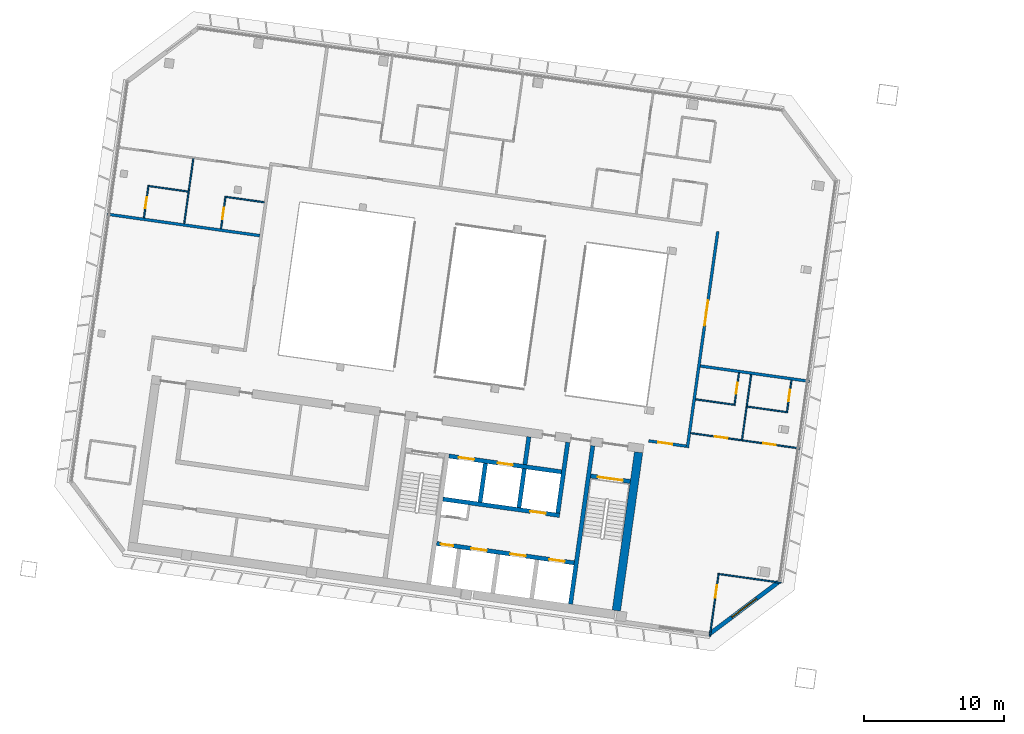
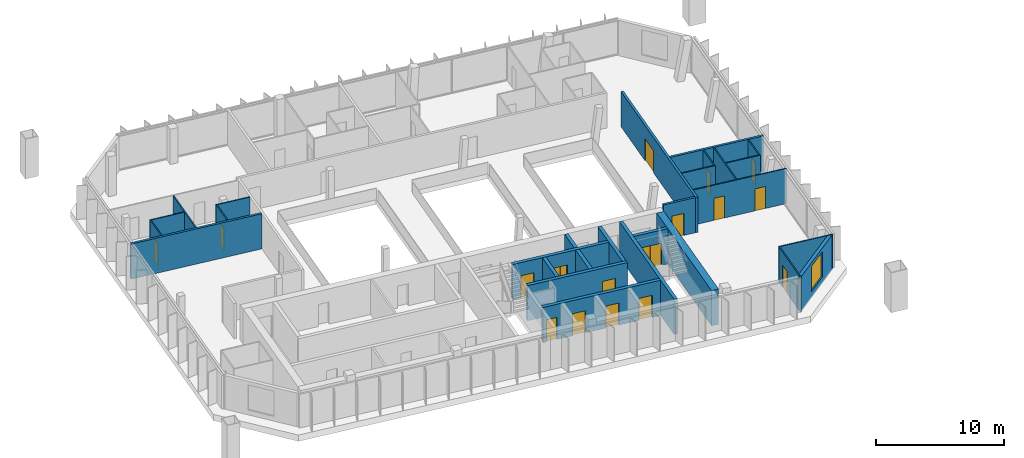
# One storey, part 13 of 20: 28 walls, 17 doors, 1 window, 18 openings.
"""IFC4 building model written with IfcOpenShell, lengths in metres."""

from ifc_helpers import new_model, si_unit, direction, frame, frame_2d, origin, place, context, subcontext, project, spatial, rectangle, extrude, material, layer, layer_set, type_object, element, fill, save


model = new_model("IFC4")

# Units and contexts
model_context = context("Model", 3, precision=1e-05, world=origin(), true_north=direction((0.0, 1.0)))
body_context = subcontext(model_context, "Body", "Model", "MODEL_VIEW")
ifc_project = project(units=[si_unit("LENGTHUNIT", "METRE"), si_unit("AREAUNIT", "SQUARE_METRE"), si_unit("VOLUMEUNIT", "CUBIC_METRE"), si_unit("PLANEANGLEUNIT", "RADIAN"), si_unit("MASSUNIT", "GRAM", prefix="KILO")], contexts=[model_context])

# Site, building, storey
site_placement = place(None, origin())
site = spatial("IfcSite", under=ifc_project, at=site_placement, CompositionType="ELEMENT")
building_placement = place(site_placement, origin())
building = spatial("IfcBuilding", under=site, at=building_placement, Name="Mirante Cascada Hotel Towers", CompositionType="ELEMENT")
storey_placement = place(building_placement, frame((0.0, 0.0, 224.2)))
storey = spatial("IfcBuildingStorey", under=building, at=storey_placement, Name="L53", CompositionType="ELEMENT", Elevation=224.2)

# Wall, opening, door
ifc_material_1 = material(Name="Fire-rated plasterboard on metal studs")
ifc_layer_1 = layer(ifc_material_1, 0.2)
ifc_layer_set_1 = layer_set([ifc_layer_1], Name="Compartment wall 200 EI 120")
wall_type_1 = type_object("IfcWallType", Name="Compartment wall 200 EI 120", PredefinedType="PARTITIONING", material=ifc_layer_set_1)
wall_1_placement = place(storey_placement, frame((-32.5897, -7.493, 0.0), z_axis=(0.0, 0.0, 1.0), x_axis=(-0.9902713, 0.1391498, 0.0)))
wall_1 = element("IfcWall", 1, at=wall_1_placement, inside=storey, type_object=wall_type_1, Name="Wall 1-L53-04", PredefinedType="PARTITIONING", context=body_context, shape_type="SweptSolid", body=[
    extrude(rectangle(XDim=2.7, YDim=0.2, at=frame_2d((1.35, 0.0))), origin(), (0.0, 0.0, 1.0), 3.35),
])
opening_1_placement = place(wall_1_placement, frame((1.0, 0.0, 0.0)))
opening_1 = element("IfcOpeningElement", 2, at=opening_1_placement, cuts=wall_1, Name="Opening D1-L53-01", PredefinedType="OPENING", context=body_context, shape_type="SweptSolid", body=[
    extrude(rectangle(XDim=1.0, YDim=2.1, at=frame_2d((0.5, 1.05))), frame((0.0, 0.1, 0.0), z_axis=(0.0, -1.0, 0.0), x_axis=(1.0, 0.0, 0.0)), (0.0, 0.0, 1.0), 0.2),
])
ifc_material_2 = material(Name="Fire-rated timber door leaf", Category="wood")
door_type_1 = type_object("IfcDoorType", Name="Entrance door DG1 1000x2100 EI 60", OperationType="SINGLE_SWING_LEFT", PredefinedType="DOOR", material=ifc_material_2)
door_1_placement = place(opening_1_placement, origin())
door_1 = element("IfcDoor", 3, at=door_1_placement, inside=storey, type_object=door_type_1, Name="Door D1-L53-01", OperationType="SINGLE_SWING_LEFT", OverallHeight=2.1, OverallWidth=1.0, PredefinedType="DOOR", context=body_context, shape_type="SweptSolid", body=[
    extrude(rectangle(XDim=1.0, YDim=2.1, at=frame_2d((0.5, 1.05))), frame((0.0, 0.025, 0.0), z_axis=(0.0, -1.0, 0.0), x_axis=(1.0, 0.0, 0.0)), (0.0, 0.0, 1.0), 0.05),
])
fill(opening_1, door_1)

# Walls
wall_2_placement = place(storey_placement, frame((-31.5844, -1.7773, 0.0), z_axis=(0.0, 0.0, 1.0), x_axis=(0.9902673, -0.1391786, 0.0)))
element("IfcWall", 4, at=wall_2_placement, inside=storey, type_object=wall_type_1, Name="Wall 1-L53-09", PredefinedType="PARTITIONING", context=body_context, shape_type="SweptSolid", body=[
    extrude(rectangle(XDim=7.8539, YDim=0.2, at=frame_2d((3.927, 0.0))), origin(), (0.0, 0.0, 1.0), 3.35),
])
wall_3_placement = place(storey_placement, frame((-62.9964, 7.5181, 0.0), z_axis=(0.0, 0.0, 1.0), x_axis=(-0.990267, 0.139181, 0.0)))
element("IfcWall", 5, at=wall_3_placement, inside=storey, type_object=wall_type_1, Name="Wall 1-L53-10", PredefinedType="PARTITIONING", context=body_context, shape_type="SweptSolid", body=[
    extrude(rectangle(XDim=11.0001, YDim=0.2, at=frame_2d((5.5, 0.0))), origin(), (0.0, 0.0, 1.0), 3.35),
])

# Wall, opening, door
wall_4_placement = place(storey_placement, frame((-30.3381, 7.8092, 0.0), z_axis=(0.0, 0.0, 1.0), x_axis=(-0.1391753, -0.9902678, 0.0)))
wall_4 = element("IfcWall", 6, at=wall_4_placement, inside=storey, type_object=wall_type_1, Name="Wall 1-L53-27", PredefinedType="PARTITIONING", context=body_context, shape_type="SweptSolid", body=[
    extrude(rectangle(XDim=15.5667, YDim=0.2, at=frame_2d((7.7834, 0.0))), origin(), (0.0, 0.0, 1.0), 3.35),
])
opening_2_placement = place(wall_4_placement, frame((4.9667, 0.0, 0.0)))
opening_2 = element("IfcOpeningElement", 7, at=opening_2_placement, cuts=wall_4, Name="Opening D1-L53-17", PredefinedType="OPENING", context=body_context, shape_type="SweptSolid", body=[
    extrude(rectangle(XDim=1.8, YDim=2.1, at=frame_2d((0.9, 1.05))), frame((0.0, 0.1, 0.0), z_axis=(0.0, -1.0, 0.0), x_axis=(1.0, 0.0, 0.0)), (0.0, 0.0, 1.0), 0.2),
])
ifc_material_3 = material(Name="Fire-rated timber door leaf", Category="wood")
door_type_2 = type_object("IfcDoorType", Name="Suite double door DG2 1800x2100 EI 60", OperationType="DOUBLE_DOOR_SINGLE_SWING", PredefinedType="DOOR", material=ifc_material_3)
door_2_placement = place(opening_2_placement, origin())
door_2 = element("IfcDoor", 8, at=door_2_placement, inside=storey, type_object=door_type_2, Name="Door D1-L53-17", OperationType="DOUBLE_DOOR_SINGLE_SWING", OverallHeight=2.1, OverallWidth=1.8, PredefinedType="DOOR", context=body_context, shape_type="SweptSolid", body=[
    extrude(rectangle(XDim=0.895, YDim=2.1, at=frame_2d((0.4475, 1.05))), frame((0.0, 0.025, 0.0), z_axis=(0.0, -1.0, 0.0), x_axis=(1.0, 0.0, 0.0)), (0.0, 0.0, 1.0), 0.05),
    extrude(rectangle(XDim=0.895, YDim=2.1, at=frame_2d((1.3525, 1.05))), frame((0.0, 0.025, 0.0), z_axis=(0.0, -1.0, 0.0), x_axis=(1.0, 0.0, 0.0)), (0.0, 0.0, 1.0), 0.05),
])
fill(opening_2, door_2)

# Walls
ifc_material_4 = material(Name="Masonry block", Category="masonry")
ifc_layer_2 = layer(ifc_material_4, 0.3)
ifc_layer_set_2 = layer_set([ifc_layer_2], Name="Core wall 300 block EI 120")
wall_type_2 = type_object("IfcWallType", Name="Core wall 300 block EI 120", PredefinedType="PARTITIONING", material=ifc_layer_set_2)
wall_5_placement = place(storey_placement, frame((-44.0843, -8.8061, 0.0), z_axis=(0.0, 0.0, 1.0), x_axis=(0.1391951, 0.990265, 0.0)))
element("IfcWall", 9, at=wall_5_placement, inside=storey, type_object=wall_type_2, Name="Core wall partition T1 L53 1", PredefinedType="PARTITIONING", context=body_context, shape_type="SweptSolid", body=[
    extrude(rectangle(XDim=2.0001, YDim=0.3, at=frame_2d((1.0001, 0.0))), origin(), (0.0, 0.0, 1.0), 3.35),
])
ifc_material_5 = material(Name="Plasterboard on metal studs")
ifc_layer_3 = layer(ifc_material_5, 0.1)
ifc_layer_set_3 = layer_set([ifc_layer_3], Name="Partition 100")
wall_type_3 = type_object("IfcWallType", Name="Partition 100", PredefinedType="PARTITIONING", material=ifc_layer_set_3)
wall_6_placement = place(storey_placement, frame((-30.3306, -16.596, 0.0), z_axis=(0.0, 0.0, 1.0), x_axis=(0.9902661, -0.1391871, 0.0)))
element("IfcWall", 10, at=wall_6_placement, inside=storey, type_object=wall_type_3, Name="Wall 1-L53-01", PredefinedType="PARTITIONING", context=body_context, shape_type="SweptSolid", body=[
    extrude(rectangle(XDim=4.55, YDim=0.1, at=frame_2d((2.275, 0.0))), origin(), (0.0, 0.0, 1.0), 3.35),
])

# Wall, openings, doors
wall_7_placement = place(storey_placement, frame((-32.2571, -6.5636, 0.0), z_axis=(0.0, 0.0, 1.0), x_axis=(0.9902675, -0.1391768, 0.0)))
wall_7 = element("IfcWall", 11, at=wall_7_placement, inside=storey, type_object=wall_type_3, Name="Wall 1-L53-05", PredefinedType="PARTITIONING", context=body_context, shape_type="SweptSolid", body=[
    extrude(rectangle(XDim=7.854, YDim=0.1, at=frame_2d((3.927, 0.0))), origin(), (0.0, 0.0, 1.0), 3.35),
])
opening_3_placement = place(wall_7_placement, frame((5.204, 0.0, 0.0)))
opening_3 = element("IfcOpeningElement", 12, at=opening_3_placement, cuts=wall_7, Name="Opening D1-L53-02", PredefinedType="OPENING", context=body_context, shape_type="SweptSolid", body=[
    extrude(rectangle(XDim=0.9, YDim=2.1, at=frame_2d((0.45, 1.05))), frame((0.0, 0.05, 0.0), z_axis=(0.0, -1.0, 0.0), x_axis=(1.0, 0.0, 0.0)), (0.0, 0.0, 1.0), 0.1),
])
opening_4_placement = place(wall_7_placement, frame((1.7385, 0.0, 0.0)))
opening_4 = element("IfcOpeningElement", 13, at=opening_4_placement, cuts=wall_7, Name="Opening D1-L53-03", PredefinedType="OPENING", context=body_context, shape_type="SweptSolid", body=[
    extrude(rectangle(XDim=0.9, YDim=2.1, at=frame_2d((0.45, 1.05))), frame((0.0, 0.05, 0.0), z_axis=(0.0, -1.0, 0.0), x_axis=(1.0, 0.0, 0.0)), (0.0, 0.0, 1.0), 0.1),
])
ifc_material_6 = material(Name="Timber door leaf", Category="wood")
door_type_3 = type_object("IfcDoorType", Name="Room door DG3 900x2100", OperationType="SINGLE_SWING_LEFT", PredefinedType="DOOR", material=ifc_material_6)
door_3_placement = place(opening_3_placement, frame((0.9, 0.0, 0.0), z_axis=(0.0, 0.0, 1.0), x_axis=(-1.0, 0.0, 0.0)))
door_3 = element("IfcDoor", 14, at=door_3_placement, inside=storey, type_object=door_type_3, Name="Door D1-L53-02", OperationType="SINGLE_SWING_RIGHT", OverallHeight=2.1, OverallWidth=0.9, PredefinedType="DOOR", context=body_context, shape_type="SweptSolid", body=[
    extrude(rectangle(XDim=0.9, YDim=2.1, at=frame_2d((0.45, 1.05))), frame((0.0, 0.025, 0.0), z_axis=(0.0, -1.0, 0.0), x_axis=(1.0, 0.0, 0.0)), (0.0, 0.0, 1.0), 0.05),
])
fill(opening_3, door_3)
door_4_placement = place(opening_4_placement, frame((0.9, 0.0, 0.0), z_axis=(0.0, 0.0, 1.0), x_axis=(-1.0, 0.0, 0.0)))
door_4 = element("IfcDoor", 15, at=door_4_placement, inside=storey, type_object=door_type_3, Name="Door D1-L53-03", OperationType="SINGLE_SWING_RIGHT", OverallHeight=2.1, OverallWidth=0.9, PredefinedType="DOOR", context=body_context, shape_type="SweptSolid", body=[
    extrude(rectangle(XDim=0.9, YDim=2.1, at=frame_2d((0.45, 1.05))), frame((0.0, 0.025, 0.0), z_axis=(0.0, -1.0, 0.0), x_axis=(1.0, 0.0, 0.0)), (0.0, 0.0, 1.0), 0.05),
])
fill(opening_4, door_4)

# Walls
wall_8_placement = place(storey_placement, frame((-28.2277, -4.6727, 0.0), z_axis=(0.0, 0.0, 1.0), x_axis=(0.9902683, -0.1391714, 0.0)))
element("IfcWall", 16, at=wall_8_placement, inside=storey, type_object=wall_type_3, Name="Wall 1-L53-07", PredefinedType="PARTITIONING", context=body_context, shape_type="SweptSolid", body=[
    extrude(rectangle(XDim=2.9, YDim=0.1, at=frame_2d((1.45, 0.0))), origin(), (0.0, 0.0, 1.0), 3.35),
])
wall_9_placement = place(storey_placement, frame((-29.0962, -4.5506, 0.0), z_axis=(0.0, 0.0, 1.0), x_axis=(-0.9902697, 0.1391613, 0.0)))
element("IfcWall", 17, at=wall_9_placement, inside=storey, type_object=wall_type_3, Name="Wall 1-L53-08", PredefinedType="PARTITIONING", context=body_context, shape_type="SweptSolid", body=[
    extrude(rectangle(XDim=2.8499, YDim=0.1, at=frame_2d((1.425, 0.0))), origin(), (0.0, 0.0, 1.0), 3.35),
])
wall_10_placement = place(storey_placement, frame((-65.4847, 10.2914, 0.0), z_axis=(0.0, 0.0, 1.0), x_axis=(0.9902704, -0.1391564, 0.0)))
element("IfcWall", 18, at=wall_10_placement, inside=storey, type_object=wall_type_3, Name="Wall 1-L53-11", PredefinedType="PARTITIONING", context=body_context, shape_type="SweptSolid", body=[
    extrude(rectangle(XDim=2.85, YDim=0.1, at=frame_2d((1.425, 0.0))), origin(), (0.0, 0.0, 1.0), 3.35),
])
wall_11_placement = place(storey_placement, frame((-68.1089, 10.6602, 0.0), z_axis=(0.0, 0.0, 1.0), x_axis=(-0.9902683, 0.1391714, 0.0)))
element("IfcWall", 19, at=wall_11_placement, inside=storey, type_object=wall_type_3, Name="Wall 1-L53-12", PredefinedType="PARTITIONING", context=body_context, shape_type="SweptSolid", body=[
    extrude(rectangle(XDim=2.9, YDim=0.1, at=frame_2d((1.45, 0.0))), origin(), (0.0, 0.0, 1.0), 3.35),
])

# Wall, opening, door
wall_12_placement = place(storey_placement, frame((-25.0854, -2.7917, 0.0), z_axis=(0.0, 0.0, 1.0), x_axis=(-0.1391561, -0.9902705, 0.0)))
wall_12 = element("IfcWall", 20, at=wall_12_placement, inside=storey, type_object=wall_type_3, Name="Wall 1-L53-23", PredefinedType="PARTITIONING", context=body_context, shape_type="SweptSolid", body=[
    extrude(rectangle(XDim=2.25, YDim=0.1, at=frame_2d((1.125, 0.0))), origin(), (0.0, 0.0, 1.0), 3.35),
])
opening_5_placement = place(wall_12_placement, frame((0.7, 0.0, 0.0)))
opening_5 = element("IfcOpeningElement", 21, at=opening_5_placement, cuts=wall_12, Name="Opening D1-L53-14", PredefinedType="OPENING", context=body_context, shape_type="SweptSolid", body=[
    extrude(rectangle(XDim=0.8, YDim=2.1, at=frame_2d((0.4, 1.05))), frame((0.0, 0.05, 0.0), z_axis=(0.0, -1.0, 0.0), x_axis=(1.0, 0.0, 0.0)), (0.0, 0.0, 1.0), 0.1),
])
ifc_material_7 = material(Name="Timber door leaf", Category="wood")
door_type_4 = type_object("IfcDoorType", Name="Bathroom door DG4 800x2100", OperationType="SINGLE_SWING_LEFT", PredefinedType="DOOR", material=ifc_material_7)
door_5_placement = place(opening_5_placement, frame((0.8, 0.0, 0.0), z_axis=(0.0, 0.0, 1.0), x_axis=(-1.0, 0.0, 0.0)))
door_5 = element("IfcDoor", 22, at=door_5_placement, inside=storey, type_object=door_type_4, Name="Door D1-L53-14", OperationType="SINGLE_SWING_RIGHT", OverallHeight=2.1, OverallWidth=0.8, PredefinedType="DOOR", context=body_context, shape_type="SweptSolid", body=[
    extrude(rectangle(XDim=0.8, YDim=2.1, at=frame_2d((0.4, 1.05))), frame((0.0, 0.025, 0.0), z_axis=(0.0, -1.0, 0.0), x_axis=(1.0, 0.0, 0.0)), (0.0, 0.0, 1.0), 0.05),
])
fill(opening_5, door_5)

# Wall
wall_13_placement = place(storey_placement, frame((-28.6089, -7.0258, 0.0), z_axis=(0.0, 0.0, 1.0), x_axis=(0.139176, 0.9902677, 0.0)))
element("IfcWall", 23, at=wall_13_placement, inside=storey, type_object=wall_type_3, Name="Wall 1-L53-24", PredefinedType="PARTITIONING", context=body_context, shape_type="SweptSolid", body=[
    extrude(rectangle(XDim=4.6833, YDim=0.1, at=frame_2d((2.3416, 0.0))), origin(), (0.0, 0.0, 1.0), 3.35),
])

# Wall, opening, door
wall_14_placement = place(storey_placement, frame((-30.288, -16.6525, 0.0), z_axis=(0.0, 0.0, 1.0), x_axis=(-0.1391904, -0.9902656, 0.0)))
wall_14 = element("IfcWall", 24, at=wall_14_placement, inside=storey, type_object=wall_type_3, Name="Wall 1-L53-25", PredefinedType="PARTITIONING", context=body_context, shape_type="SweptSolid", body=[
    extrude(rectangle(XDim=4.45, YDim=0.1, at=frame_2d((2.225, 0.0))), origin(), (0.0, 0.0, 1.0), 3.35),
])
opening_6_placement = place(wall_14_placement, frame((0.75, 0.0, 0.0)))
opening_6 = element("IfcOpeningElement", 25, at=opening_6_placement, cuts=wall_14, Name="Opening D1-L53-15", PredefinedType="OPENING", context=body_context, shape_type="SweptSolid", body=[
    extrude(rectangle(XDim=0.9, YDim=2.1, at=frame_2d((0.45, 1.05))), frame((0.0, 0.05, 0.0), z_axis=(0.0, -1.0, 0.0), x_axis=(1.0, 0.0, 0.0)), (0.0, 0.0, 1.0), 0.1),
])
door_6_placement = place(opening_6_placement, frame((0.9, 0.0, 0.0), z_axis=(0.0, 0.0, 1.0), x_axis=(-1.0, 0.0, 0.0)))
door_6 = element("IfcDoor", 26, at=door_6_placement, inside=storey, type_object=door_type_3, Name="Door D1-L53-15", OperationType="SINGLE_SWING_RIGHT", OverallHeight=2.1, OverallWidth=0.9, PredefinedType="DOOR", context=body_context, shape_type="SweptSolid", body=[
    extrude(rectangle(XDim=0.9, YDim=2.1, at=frame_2d((0.45, 1.05))), frame((0.0, 0.025, 0.0), z_axis=(0.0, -1.0, 0.0), x_axis=(1.0, 0.0, 0.0)), (0.0, 0.0, 1.0), 0.05),
])
fill(opening_6, door_6)

wall_15_placement = place(storey_placement, frame((-29.1387, -4.4941, 0.0), z_axis=(0.0, 0.0, 1.0), x_axis=(0.1391561, 0.9902705, 0.0)))
wall_15 = element("IfcWall", 27, at=wall_15_placement, inside=storey, type_object=wall_type_3, Name="Wall 1-L53-26", PredefinedType="PARTITIONING", context=body_context, shape_type="SweptSolid", body=[
    extrude(rectangle(XDim=2.25, YDim=0.1, at=frame_2d((1.125, 0.0))), origin(), (0.0, 0.0, 1.0), 3.35),
])
opening_7_placement = place(wall_15_placement, frame((0.75, 0.0, 0.0)))
opening_7 = element("IfcOpeningElement", 28, at=opening_7_placement, cuts=wall_15, Name="Opening D1-L53-16", PredefinedType="OPENING", context=body_context, shape_type="SweptSolid", body=[
    extrude(rectangle(XDim=0.8, YDim=2.1, at=frame_2d((0.4, 1.05))), frame((0.0, 0.05, 0.0), z_axis=(0.0, -1.0, 0.0), x_axis=(1.0, 0.0, 0.0)), (0.0, 0.0, 1.0), 0.1),
])
door_7_placement = place(opening_7_placement, origin())
door_7 = element("IfcDoor", 29, at=door_7_placement, inside=storey, type_object=door_type_4, Name="Door D1-L53-16", OperationType="SINGLE_SWING_LEFT", OverallHeight=2.1, OverallWidth=0.8, PredefinedType="DOOR", context=body_context, shape_type="SweptSolid", body=[
    extrude(rectangle(XDim=0.8, YDim=2.1, at=frame_2d((0.4, 1.05))), frame((0.0, 0.025, 0.0), z_axis=(0.0, -1.0, 0.0), x_axis=(1.0, 0.0, 0.0)), (0.0, 0.0, 1.0), 0.05),
])
fill(opening_7, door_7)

wall_16_placement = place(storey_placement, frame((-65.4421, 10.235, 0.0), z_axis=(0.0, 0.0, 1.0), x_axis=(-0.1391997, -0.9902643, 0.0)))
wall_16 = element("IfcWall", 30, at=wall_16_placement, inside=storey, type_object=wall_type_3, Name="Wall 1-L53-41", PredefinedType="PARTITIONING", context=body_context, shape_type="SweptSolid", body=[
    extrude(rectangle(XDim=2.25, YDim=0.1, at=frame_2d((1.125, 0.0))), origin(), (0.0, 0.0, 1.0), 3.35),
])
opening_8_placement = place(wall_16_placement, frame((0.75, 0.0, 0.0)))
opening_8 = element("IfcOpeningElement", 31, at=opening_8_placement, cuts=wall_16, Name="Opening D1-L53-24", PredefinedType="OPENING", context=body_context, shape_type="SweptSolid", body=[
    extrude(rectangle(XDim=0.8, YDim=2.1, at=frame_2d((0.4, 1.05))), frame((0.0, 0.05, 0.0), z_axis=(0.0, -1.0, 0.0), x_axis=(1.0, 0.0, 0.0)), (0.0, 0.0, 1.0), 0.1),
])
door_8_placement = place(opening_8_placement, origin())
door_8 = element("IfcDoor", 32, at=door_8_placement, inside=storey, type_object=door_type_4, Name="Door D1-L53-24", OperationType="SINGLE_SWING_LEFT", OverallHeight=2.1, OverallWidth=0.8, PredefinedType="DOOR", context=body_context, shape_type="SweptSolid", body=[
    extrude(rectangle(XDim=0.8, YDim=2.1, at=frame_2d((0.4, 1.05))), frame((0.0, 0.025, 0.0), z_axis=(0.0, -1.0, 0.0), x_axis=(1.0, 0.0, 0.0)), (0.0, 0.0, 1.0), 0.05),
])
fill(opening_8, door_8)

# Wall
wall_17_placement = place(storey_placement, frame((-68.3795, 8.3757, 0.0), z_axis=(0.0, 0.0, 1.0), x_axis=(0.139173, 0.9902681, 0.0)))
element("IfcWall", 33, at=wall_17_placement, inside=storey, type_object=wall_type_3, Name="Wall 1-L53-42", PredefinedType="PARTITIONING", context=body_context, shape_type="SweptSolid", body=[
    extrude(rectangle(XDim=4.6834, YDim=0.1, at=frame_2d((2.3417, 0.0))), origin(), (0.0, 0.0, 1.0), 3.35),
])

# Wall, opening, door
wall_18_placement = place(storey_placement, frame((-70.9381, 11.0074, 0.0), z_axis=(0.0, 0.0, 1.0), x_axis=(-0.1391997, -0.9902643, 0.0)))
wall_18 = element("IfcWall", 34, at=wall_18_placement, inside=storey, type_object=wall_type_3, Name="Wall 1-L53-45", PredefinedType="PARTITIONING", context=body_context, shape_type="SweptSolid", body=[
    extrude(rectangle(XDim=2.25, YDim=0.1, at=frame_2d((1.125, 0.0))), origin(), (0.0, 0.0, 1.0), 3.35),
])
opening_9_placement = place(wall_18_placement, frame((0.75, 0.0, 0.0)))
opening_9 = element("IfcOpeningElement", 35, at=opening_9_placement, cuts=wall_18, Name="Opening D1-L53-25", PredefinedType="OPENING", context=body_context, shape_type="SweptSolid", body=[
    extrude(rectangle(XDim=0.8, YDim=2.1, at=frame_2d((0.4, 1.05))), frame((0.0, 0.05, 0.0), z_axis=(0.0, -1.0, 0.0), x_axis=(1.0, 0.0, 0.0)), (0.0, 0.0, 1.0), 0.1),
])
door_9_placement = place(opening_9_placement, origin())
door_9 = element("IfcDoor", 36, at=door_9_placement, inside=storey, type_object=door_type_4, Name="Door D1-L53-25", OperationType="SINGLE_SWING_LEFT", OverallHeight=2.1, OverallWidth=0.8, PredefinedType="DOOR", context=body_context, shape_type="SweptSolid", body=[
    extrude(rectangle(XDim=0.8, YDim=2.1, at=frame_2d((0.4, 1.05))), frame((0.0, 0.025, 0.0), z_axis=(0.0, -1.0, 0.0), x_axis=(1.0, 0.0, 0.0)), (0.0, 0.0, 1.0), 0.05),
])
fill(opening_9, door_9)

# Wall, opening, window
ifc_material_8 = material(Name="Precast concrete C40/50", Category="concrete")
ifc_layer_4 = layer(ifc_material_8, 0.3)
ifc_layer_set_4 = layer_set([ifc_layer_4], Name="Precast concrete C40/50 cladding wall 300")
wall_type_4 = type_object("IfcWallType", Name="Precast concrete C40/50 cladding wall 300", PredefinedType="STANDARD", material=ifc_layer_set_4)
wall_19_placement = place(storey_placement, frame((-26.0143, -17.1842, 0.0), z_axis=(0.0, 0.0, 1.0), x_axis=(-0.7986362, -0.6018141, 0.0)))
wall_19 = element("IfcWall", 37, at=wall_19_placement, inside=storey, type_object=wall_type_4, Name="Corner cladding wall T1 L53 inner rear", PredefinedType="STANDARD", context=body_context, shape_type="SweptSolid", body=[
    extrude(rectangle(XDim=6.1157, YDim=0.3, at=frame_2d((3.0578, 0.0))), origin(), (0.0, 0.0, 1.0), 3.35),
])
opening_10_placement = place(wall_19_placement, frame((1.9578, 0.0, 0.6)))
opening_10 = element("IfcOpeningElement", 38, at=opening_10_placement, cuts=wall_19, Name="Opening W1-53-05", PredefinedType="OPENING", context=body_context, shape_type="SweptSolid", body=[
    extrude(rectangle(XDim=2.2, YDim=2.4, at=frame_2d((1.1, 1.2))), frame((0.0, 0.15, 0.0), z_axis=(0.0, -1.0, 0.0), x_axis=(1.0, 0.0, 0.0)), (0.0, 0.0, 1.0), 0.3),
])
ifc_material_9 = material(Name="Aluminium frame with clear double glazing", Category="aluminium")
window_type = type_object("IfcWindowType", Name="Corner suite window 2200x2400", PartitioningType="DOUBLE_PANEL_VERTICAL", PredefinedType="WINDOW", material=ifc_material_9)
window_placement = place(opening_10_placement, origin())
window = element("IfcWindow", 39, at=window_placement, inside=storey, type_object=window_type, Name="Window W1-53-05", OverallHeight=2.4, OverallWidth=2.2, PartitioningType="SINGLE_PANEL", PredefinedType="WINDOW", context=body_context, shape_type="SweptSolid", body=[
    extrude(rectangle(XDim=2.2, YDim=2.4, at=frame_2d((1.1, 1.2))), frame((0.0, 0.03, 0.0), z_axis=(0.0, -1.0, 0.0), x_axis=(1.0, 0.0, 0.0)), (0.0, 0.0, 1.0), 0.06),
])
fill(opening_10, window)

# Wall
ifc_material_10 = material(Name="Concrete C50/60", Category="concrete")
ifc_layer_5 = layer(ifc_material_10, 0.3)
ifc_layer_set_5 = layer_set([ifc_layer_5], Name="RC core wall 300 C50/60")
wall_type_5 = type_object("IfcWallType", Name="RC core wall 300 C50/60", PredefinedType="SHEAR", material=ifc_layer_set_5)
wall_20_placement = place(storey_placement, frame((-40.8373, -18.7548, 0.0), z_axis=(0.0, 0.0, 1.0), x_axis=(0.1391749, 0.9902678, 0.0)))
element("IfcWall", 40, at=wall_20_placement, inside=storey, type_object=wall_type_5, Name="Core wall T1:L53:5", PredefinedType="SHEAR", context=body_context, shape_type="SweptSolid", body=[
    extrude(rectangle(XDim=11.4, YDim=0.3, at=frame_2d((5.7, 0.0))), origin(), (0.0, 0.0, 1.0), 3.35),
])

# Wall, opening, door
wall_21_placement = place(storey_placement, frame((-36.5791, -10.0123, 0.0), z_axis=(0.0, 0.0, 1.0), x_axis=(-0.9902704, 0.1391564, 0.0)))
wall_21 = element("IfcWall", 41, at=wall_21_placement, inside=storey, type_object=wall_type_5, Name="Core wall T1:L53:8", PredefinedType="SHEAR", context=body_context, shape_type="SweptSolid", body=[
    extrude(rectangle(XDim=2.85, YDim=0.3, at=frame_2d((1.425, 0.0))), origin(), (0.0, 0.0, 1.0), 3.35),
])
opening_11_placement = place(wall_21_placement, frame((0.525, 0.0, 0.0)))
opening_11 = element("IfcOpeningElement", 42, at=opening_11_placement, cuts=wall_21, Name="Opening D1-53-C07", PredefinedType="OPENING", context=body_context, shape_type="SweptSolid", body=[
    extrude(rectangle(XDim=1.8, YDim=2.1, at=frame_2d((0.9, 1.05))), frame((0.0, 0.15, 0.0), z_axis=(0.0, -1.0, 0.0), x_axis=(1.0, 0.0, 0.0)), (0.0, 0.0, 1.0), 0.3),
])
ifc_material_11 = material(Name="Hollow metal fire door leaf")
door_type_5 = type_object("IfcDoorType", Name="Double fire door 1800x2100 FD60", OperationType="DOUBLE_DOOR_SINGLE_SWING", PredefinedType="DOOR", material=ifc_material_11)
door_10_placement = place(opening_11_placement, origin())
door_10 = element("IfcDoor", 43, at=door_10_placement, inside=storey, type_object=door_type_5, Name="Stair door T1 L53 7", OperationType="DOUBLE_DOOR_SINGLE_SWING", OverallHeight=2.1, OverallWidth=1.8, PredefinedType="DOOR", context=body_context, shape_type="SweptSolid", body=[
    extrude(rectangle(XDim=0.895, YDim=2.1, at=frame_2d((0.4475, 1.05))), frame((0.0, 0.025, 0.0), z_axis=(0.0, -1.0, 0.0), x_axis=(1.0, 0.0, 0.0)), (0.0, 0.0, 1.0), 0.05),
    extrude(rectangle(XDim=0.895, YDim=2.1, at=frame_2d((1.3525, 1.05))), frame((0.0, 0.025, 0.0), z_axis=(0.0, -1.0, 0.0), x_axis=(1.0, 0.0, 0.0)), (0.0, 0.0, 1.0), 0.05),
])
fill(opening_11, door_10)

# Wall, openings, doors
wall_22_placement = place(storey_placement, frame((-40.5753, -15.8126, 0.0), z_axis=(0.0, 0.0, 1.0), x_axis=(-0.9902682, 0.1391725, 0.0)))
wall_22 = element("IfcWall", 44, at=wall_22_placement, inside=storey, type_object=wall_type_5, Name="Core wall T1:L53:10", PredefinedType="SHEAR", context=body_context, shape_type="SweptSolid", body=[
    extrude(rectangle(XDim=9.8999, YDim=0.3, at=frame_2d((4.95, 0.0))), origin(), (0.0, 0.0, 1.0), 3.35),
])
opening_12_placement = place(wall_22_placement, frame((0.7, 0.0, 0.0)))
opening_12 = element("IfcOpeningElement", 45, at=opening_12_placement, cuts=wall_22, Name="Opening LD", PredefinedType="OPENING", context=body_context, shape_type="SweptSolid", body=[
    extrude(rectangle(XDim=1.1, YDim=2.1, at=frame_2d((0.55, 1.05))), frame((0.0, 0.15, 0.0), z_axis=(0.0, -1.0, 0.0), x_axis=(1.0, 0.0, 0.0)), (0.0, 0.0, 1.0), 0.3),
])
opening_13_placement = place(wall_22_placement, frame((3.5, 0.0, 0.0)))
opening_13 = element("IfcOpeningElement", 46, at=opening_13_placement, cuts=wall_22, Name="Opening LD", PredefinedType="OPENING", context=body_context, shape_type="SweptSolid", body=[
    extrude(rectangle(XDim=1.1, YDim=2.1, at=frame_2d((0.55, 1.05))), frame((0.0, 0.15, 0.0), z_axis=(0.0, -1.0, 0.0), x_axis=(1.0, 0.0, 0.0)), (0.0, 0.0, 1.0), 0.3),
])
opening_14_placement = place(wall_22_placement, frame((6.3, 0.0, 0.0)))
opening_14 = element("IfcOpeningElement", 47, at=opening_14_placement, cuts=wall_22, Name="Opening LD", PredefinedType="OPENING", context=body_context, shape_type="SweptSolid", body=[
    extrude(rectangle(XDim=1.1, YDim=2.1, at=frame_2d((0.55, 1.05))), frame((0.0, 0.15, 0.0), z_axis=(0.0, -1.0, 0.0), x_axis=(1.0, 0.0, 0.0)), (0.0, 0.0, 1.0), 0.3),
])
opening_15_placement = place(wall_22_placement, frame((8.7, 0.0, 0.0)))
opening_15 = element("IfcOpeningElement", 48, at=opening_15_placement, cuts=wall_22, Name="Opening D1-53-C14", PredefinedType="OPENING", context=body_context, shape_type="SweptSolid", body=[
    extrude(rectangle(XDim=0.9, YDim=2.1, at=frame_2d((0.45, 1.05))), frame((0.0, 0.15, 0.0), z_axis=(0.0, -1.0, 0.0), x_axis=(1.0, 0.0, 0.0)), (0.0, 0.0, 1.0), 0.3),
])
ifc_material_12 = material(Name="Hollow metal fire door leaf")
door_type_6 = type_object("IfcDoorType", Name="Fire door 900x2100 FD60", OperationType="NOTDEFINED", PredefinedType="DOOR", material=ifc_material_12)
door_11_placement = place(opening_15_placement, origin())
door_11 = element("IfcDoor", 49, at=door_11_placement, inside=storey, type_object=door_type_6, Name="Riser door T1 L53 14", OperationType="SINGLE_SWING_LEFT", OverallHeight=2.1, OverallWidth=0.9, PredefinedType="DOOR", context=body_context, shape_type="SweptSolid", body=[
    extrude(rectangle(XDim=0.9, YDim=2.1, at=frame_2d((0.45, 1.05))), frame((0.0, 0.025, 0.0), z_axis=(0.0, -1.0, 0.0), x_axis=(1.0, 0.0, 0.0)), (0.0, 0.0, 1.0), 0.05),
])
fill(opening_15, door_11)
ifc_material_13 = material(Name="Stainless steel", Category="steel")
door_type_7 = type_object("IfcDoorType", Name="Lift landing door 1100x2100 EI 120", OperationType="DOUBLE_DOOR_SLIDING", PredefinedType="DOOR", material=ifc_material_13)
door_12_placement = place(opening_12_placement, origin())
door_12 = element("IfcDoor", 50, at=door_12_placement, inside=storey, type_object=door_type_7, Name="Lift landing door HR1-1 L53", OperationType="DOUBLE_DOOR_SLIDING", OverallHeight=2.1, OverallWidth=1.1, PredefinedType="DOOR", context=body_context, shape_type="SweptSolid", body=[
    extrude(rectangle(XDim=0.545, YDim=2.1, at=frame_2d((0.2725, 1.05))), frame((0.0, 0.025, 0.0), z_axis=(0.0, -1.0, 0.0), x_axis=(1.0, 0.0, 0.0)), (0.0, 0.0, 1.0), 0.05),
    extrude(rectangle(XDim=0.545, YDim=2.1, at=frame_2d((0.8275, 1.05))), frame((0.0, 0.025, 0.0), z_axis=(0.0, -1.0, 0.0), x_axis=(1.0, 0.0, 0.0)), (0.0, 0.0, 1.0), 0.05),
])
fill(opening_12, door_12)
door_13_placement = place(opening_13_placement, origin())
door_13 = element("IfcDoor", 51, at=door_13_placement, inside=storey, type_object=door_type_7, Name="Lift landing door HR1-2 L53", OperationType="DOUBLE_DOOR_SLIDING", OverallHeight=2.1, OverallWidth=1.1, PredefinedType="DOOR", context=body_context, shape_type="SweptSolid", body=[
    extrude(rectangle(XDim=0.545, YDim=2.1, at=frame_2d((0.2725, 1.05))), frame((0.0, 0.025, 0.0), z_axis=(0.0, -1.0, 0.0), x_axis=(1.0, 0.0, 0.0)), (0.0, 0.0, 1.0), 0.05),
    extrude(rectangle(XDim=0.545, YDim=2.1, at=frame_2d((0.8275, 1.05))), frame((0.0, 0.025, 0.0), z_axis=(0.0, -1.0, 0.0), x_axis=(1.0, 0.0, 0.0)), (0.0, 0.0, 1.0), 0.05),
])
fill(opening_13, door_13)
door_14_placement = place(opening_14_placement, origin())
door_14 = element("IfcDoor", 52, at=door_14_placement, inside=storey, type_object=door_type_7, Name="Lift landing door HR1-3 L53", OperationType="DOUBLE_DOOR_SLIDING", OverallHeight=2.1, OverallWidth=1.1, PredefinedType="DOOR", context=body_context, shape_type="SweptSolid", body=[
    extrude(rectangle(XDim=0.545, YDim=2.1, at=frame_2d((0.2725, 1.05))), frame((0.0, 0.025, 0.0), z_axis=(0.0, -1.0, 0.0), x_axis=(1.0, 0.0, 0.0)), (0.0, 0.0, 1.0), 0.05),
    extrude(rectangle(XDim=0.545, YDim=2.1, at=frame_2d((0.8275, 1.05))), frame((0.0, 0.025, 0.0), z_axis=(0.0, -1.0, 0.0), x_axis=(1.0, 0.0, 0.0)), (0.0, 0.0, 1.0), 0.05),
])
fill(opening_14, door_14)

# Wall, opening, door
wall_23_placement = place(storey_placement, frame((-41.6153, -12.435, 0.0), z_axis=(0.0, 0.0, 1.0), x_axis=(-0.9902691, 0.139166, 0.0)))
wall_23 = element("IfcWall", 53, at=wall_23_placement, inside=storey, type_object=wall_type_5, Name="Core wall T1:L53:11", PredefinedType="SHEAR", context=body_context, shape_type="SweptSolid", body=[
    extrude(rectangle(XDim=8.4, YDim=0.3, at=frame_2d((4.2, 0.0))), origin(), (0.0, 0.0, 1.0), 3.35),
])
opening_16_placement = place(wall_23_placement, frame((1.0, 0.0, 0.0)))
opening_16 = element("IfcOpeningElement", 54, at=opening_16_placement, cuts=wall_23, Name="Opening LD", PredefinedType="OPENING", context=body_context, shape_type="SweptSolid", body=[
    extrude(rectangle(XDim=1.1, YDim=2.1, at=frame_2d((0.55, 1.05))), frame((0.0, 0.15, 0.0), z_axis=(0.0, -1.0, 0.0), x_axis=(1.0, 0.0, 0.0)), (0.0, 0.0, 1.0), 0.3),
])
door_15_placement = place(opening_16_placement, origin())
door_15 = element("IfcDoor", 55, at=door_15_placement, inside=storey, type_object=door_type_7, Name="Lift landing door HR1-4 L53", OperationType="DOUBLE_DOOR_SLIDING", OverallHeight=2.1, OverallWidth=1.1, PredefinedType="DOOR", context=body_context, shape_type="SweptSolid", body=[
    extrude(rectangle(XDim=0.545, YDim=2.1, at=frame_2d((0.2725, 1.05))), frame((0.0, 0.025, 0.0), z_axis=(0.0, -1.0, 0.0), x_axis=(1.0, 0.0, 0.0)), (0.0, 0.0, 1.0), 0.05),
    extrude(rectangle(XDim=0.545, YDim=2.1, at=frame_2d((0.8275, 1.05))), frame((0.0, 0.025, 0.0), z_axis=(0.0, -1.0, 0.0), x_axis=(1.0, 0.0, 0.0)), (0.0, 0.0, 1.0), 0.05),
])
fill(opening_16, door_15)

# Wall, openings, doors
wall_24_placement = place(storey_placement, frame((-41.481, -9.3234, 0.0), z_axis=(0.0, 0.0, 1.0), x_axis=(-0.9902679, 0.1391741, 0.0)))
wall_24 = element("IfcWall", 56, at=wall_24_placement, inside=storey, type_object=wall_type_5, Name="Core wall T1:L53:12", PredefinedType="SHEAR", context=body_context, shape_type="SweptSolid", body=[
    extrude(rectangle(XDim=8.0999, YDim=0.3, at=frame_2d((4.05, 0.0))), origin(), (0.0, 0.0, 1.0), 3.35),
])
opening_17_placement = place(wall_24_placement, frame((3.5, 0.0, 0.0)))
opening_17 = element("IfcOpeningElement", 57, at=opening_17_placement, cuts=wall_24, Name="Opening LD", PredefinedType="OPENING", context=body_context, shape_type="SweptSolid", body=[
    extrude(rectangle(XDim=1.1, YDim=2.1, at=frame_2d((0.55, 1.05))), frame((0.0, 0.15, 0.0), z_axis=(0.0, -1.0, 0.0), x_axis=(1.0, 0.0, 0.0)), (0.0, 0.0, 1.0), 0.3),
])
opening_18_placement = place(wall_24_placement, frame((6.3, 0.0, 0.0)))
opening_18 = element("IfcOpeningElement", 58, at=opening_18_placement, cuts=wall_24, Name="Opening LD", PredefinedType="OPENING", context=body_context, shape_type="SweptSolid", body=[
    extrude(rectangle(XDim=1.1, YDim=2.1, at=frame_2d((0.55, 1.05))), frame((0.0, 0.15, 0.0), z_axis=(0.0, -1.0, 0.0), x_axis=(1.0, 0.0, 0.0)), (0.0, 0.0, 1.0), 0.3),
])
door_16_placement = place(opening_17_placement, origin())
door_16 = element("IfcDoor", 59, at=door_16_placement, inside=storey, type_object=door_type_7, Name="Lift landing door FF1 L53", OperationType="DOUBLE_DOOR_SLIDING", OverallHeight=2.1, OverallWidth=1.1, PredefinedType="DOOR", context=body_context, shape_type="SweptSolid", body=[
    extrude(rectangle(XDim=0.545, YDim=2.1, at=frame_2d((0.2725, 1.05))), frame((0.0, 0.025, 0.0), z_axis=(0.0, -1.0, 0.0), x_axis=(1.0, 0.0, 0.0)), (0.0, 0.0, 1.0), 0.05),
    extrude(rectangle(XDim=0.545, YDim=2.1, at=frame_2d((0.8275, 1.05))), frame((0.0, 0.025, 0.0), z_axis=(0.0, -1.0, 0.0), x_axis=(1.0, 0.0, 0.0)), (0.0, 0.0, 1.0), 0.05),
])
fill(opening_17, door_16)
door_17_placement = place(opening_18_placement, origin())
door_17 = element("IfcDoor", 60, at=door_17_placement, inside=storey, type_object=door_type_7, Name="Lift landing door FF2 L53", OperationType="DOUBLE_DOOR_SLIDING", OverallHeight=2.1, OverallWidth=1.1, PredefinedType="DOOR", context=body_context, shape_type="SweptSolid", body=[
    extrude(rectangle(XDim=0.545, YDim=2.1, at=frame_2d((0.2725, 1.05))), frame((0.0, 0.025, 0.0), z_axis=(0.0, -1.0, 0.0), x_axis=(1.0, 0.0, 0.0)), (0.0, 0.0, 1.0), 0.05),
    extrude(rectangle(XDim=0.545, YDim=2.1, at=frame_2d((0.8275, 1.05))), frame((0.0, 0.025, 0.0), z_axis=(0.0, -1.0, 0.0), x_axis=(1.0, 0.0, 0.0)), (0.0, 0.0, 1.0), 0.05),
])
fill(opening_18, door_17)

# Walls
for number, where, z_axis, x_axis, name in (
    (61, (-44.5157, -11.8759, 0.0), (0.0, 0.0, 1.0), (0.139181, 0.990267, 0.0), "Core wall T1:L53:16"),
    (62, (-47.2885, -11.4862, 0.0), (0.0, 0.0, 1.0), (0.139181, 0.990267, 0.0), "Core wall T1:L53:17"),
):
    element("IfcWall", number, at=place(storey_placement, frame(where, z_axis=z_axis, x_axis=x_axis)), inside=storey, type_object=wall_type_5, Name=name, PredefinedType="SHEAR", context=body_context, shape_type="SweptSolid", body=[
        extrude(rectangle(XDim=2.8, YDim=0.3, at=frame_2d((1.4, 0.0))), origin(), (0.0, 0.0, 1.0), 3.35),
    ])
wall_25_placement = place(storey_placement, frame((-41.743, -12.2656, 0.0), z_axis=(0.0, 0.0, 1.0), x_axis=(0.1391755, 0.9902677, 0.0)))
element("IfcWall", 63, at=wall_25_placement, inside=storey, type_object=wall_type_5, Name="Core wall T1:L53:18", PredefinedType="SHEAR", context=body_context, shape_type="SweptSolid", body=[
    extrude(rectangle(XDim=5.1, YDim=0.3, at=frame_2d((2.55, 0.0))), origin(), (0.0, 0.0, 1.0), 3.35),
])
ifc_material_14 = material(Name="Concrete C50/60", Category="concrete")
ifc_layer_6 = layer(ifc_material_14, 0.6)
ifc_layer_set_6 = layer_set([ifc_layer_6], Name="RC core wall 600 C50/60")
wall_type_6 = type_object("IfcWallType", Name="RC core wall 600 C50/60", PredefinedType="SHEAR", material=ifc_layer_set_6)
wall_26_placement = place(storey_placement, frame((-37.5694, -19.2141, 0.0), z_axis=(0.0, 0.0, 1.0), x_axis=(0.1391749, 0.9902678, 0.0)))
element("IfcWall", 64, at=wall_26_placement, inside=storey, type_object=wall_type_6, Name="Core wall T1:L53:3", PredefinedType="SHEAR", context=body_context, shape_type="SweptSolid", body=[
    extrude(rectangle(XDim=11.4, YDim=0.6, at=frame_2d((5.7, 0.0))), origin(), (0.0, 0.0, 1.0), 3.35),
])

save(model, "model.ifc")
